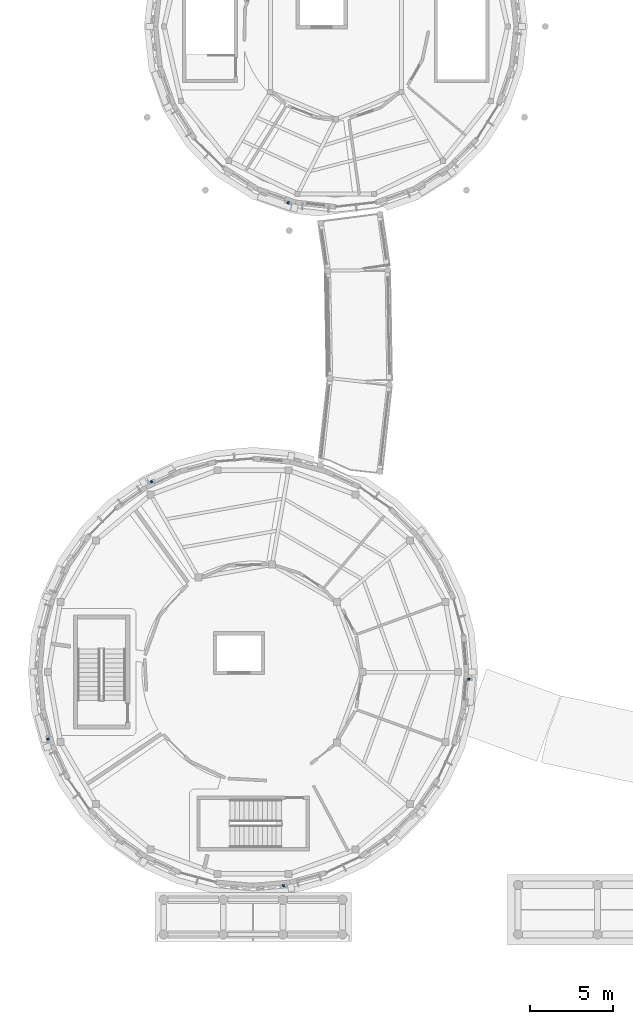
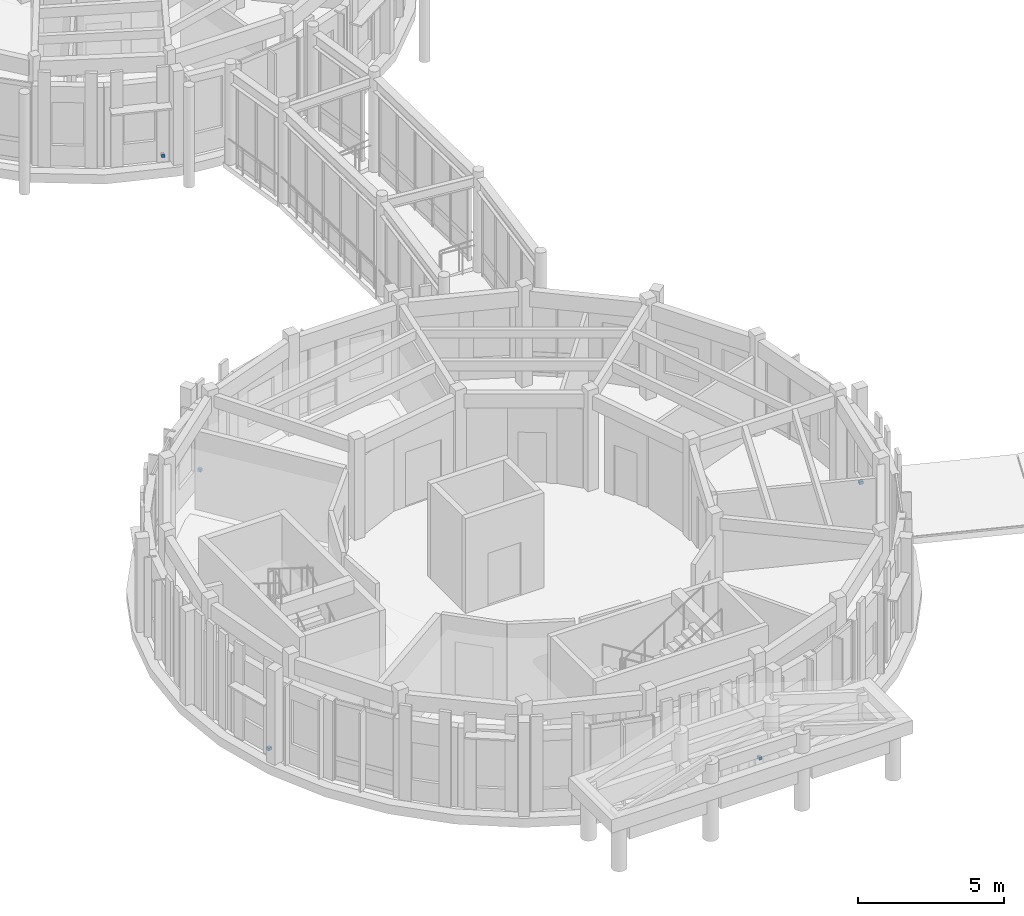
# One storey, part 59 of 80: 5 discrete accessories.
"""IFC4 building model written with IfcOpenShell, lengths in metres."""

from ifc_helpers import new_model, si_unit, direction, frame, origin, origin_2d, place, context, subcontext, project, spatial, rectangle, extrude, material, type_object, element, save


model = new_model("IFC4")

# Units and contexts
model_context = context("Model", 3, precision=1e-05, world=origin(), true_north=direction((0.0, 1.0)))
body_context = subcontext(model_context, "Body", "Model", "MODEL_VIEW")
ifc_project = project(units=[si_unit("LENGTHUNIT", "METRE"), si_unit("AREAUNIT", "SQUARE_METRE"), si_unit("VOLUMEUNIT", "CUBIC_METRE"), si_unit("PLANEANGLEUNIT", "RADIAN"), si_unit("MASSUNIT", "GRAM", prefix="KILO")], contexts=[model_context])

# Site, building, storey
site_placement = place(None, origin())
site = spatial("IfcSite", under=ifc_project, at=site_placement, CompositionType="ELEMENT")
building_placement = place(site_placement, origin())
building = spatial("IfcBuilding", under=site, at=building_placement, Name="Aldenvaro Health Centre", CompositionType="ELEMENT")
storey_placement = place(building_placement, frame((0.0, 0.0, 4.550048828125)))
storey = spatial("IfcBuildingStorey", under=building, at=storey_placement, Name="L01", CompositionType="ELEMENT", Elevation=4.550048828125)

# Discrete accessories
ifc_material = material(Name="Stainless Steel AISI 316", Category="steel")
discrete_accessory_type = type_object("IfcDiscreteAccessoryType", Name="ACC-BRK-01", PredefinedType="BRACKET", material=ifc_material)
for number, where, z_axis, x_axis, name in (
    (1, (20.6240234375, 46.85595703125, 0.18994140625), (0.0, 0.0, 1.0), (-0.943909441385, 0.330204431323, 0.0), "D3 L01 stainless fin bracket 9"),
    (2, (31.528076171875, 18.06689453125, 0.18994140625), (0.0, 0.0, 1.0), (-0.087166950289, -0.996193717495, 0.0), "D5 L01 stainless fin bracket 1"),
    (3, (20.3359375, 5.594970703125, 0.18994140625), (0.0, 0.0, 1.0), (-0.996193717495, -0.087166950289, 0.0), "D5 L01 stainless fin bracket 9"),
    (4, (6.110107421875, 14.450927734375, 0.18994140625), (0.0, 0.0, 1.0), (-0.258825000966, 0.9659242304, 0.0), "D5 L01 stainless fin bracket 17"),
    (5, (12.361083984375, 29.9990234375, 0.18994140625), (0.0, 0.0, 1.0), (0.906364844733, 0.422495879545, 0.0), "D5 L01 stainless fin bracket 25"),
):
    element("IfcDiscreteAccessory", number, at=place(storey_placement, frame(where, z_axis=z_axis, x_axis=x_axis)), inside=storey, type_object=discrete_accessory_type, Name=name, PredefinedType="BRACKET", context=body_context, shape_type="SweptSolid", body=[
        extrude(rectangle(XDim=0.1201171875, YDim=0.139892578125, at=origin_2d()), origin(), (0.0, 0.0, 1.0), 0.1201171875),
    ])

save(model, "model.ifc")
